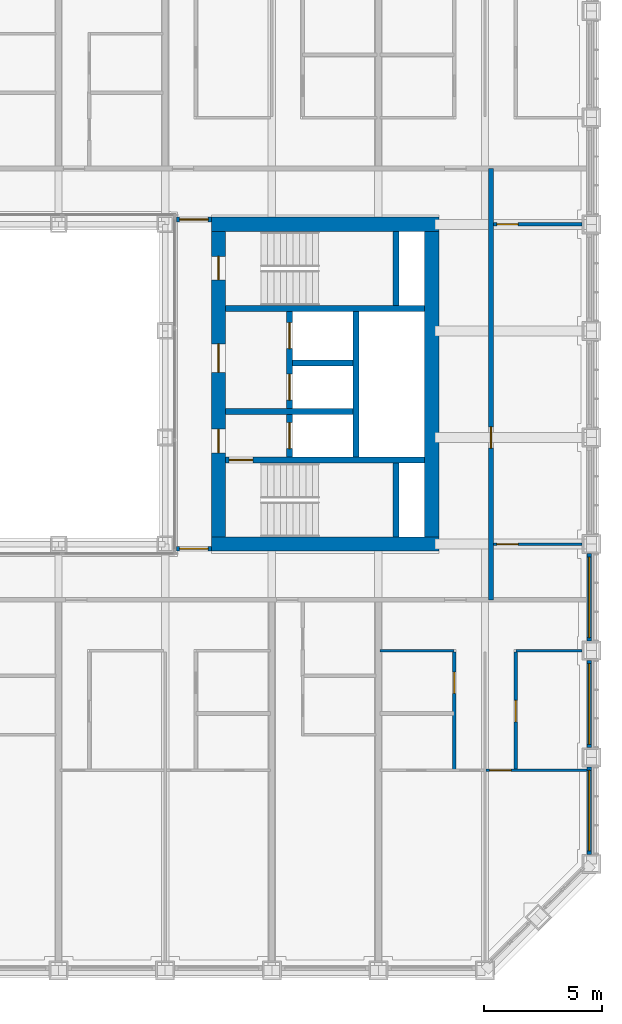
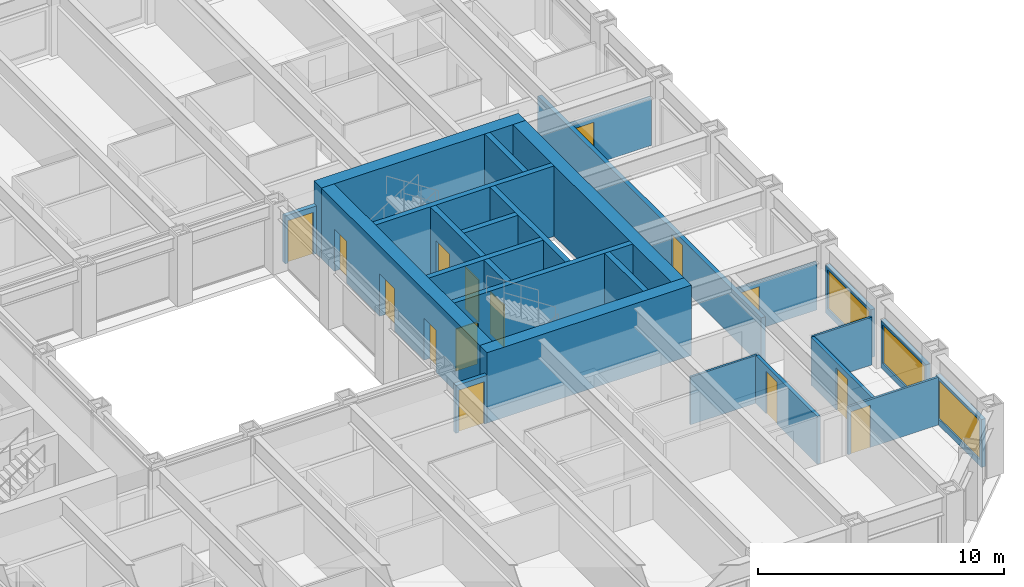
# One storey, part 12 of 21: 25 walls, 15 doors, 3 windows, 18 openings.
"""IFC4 building model written with IfcOpenShell, lengths in metres."""

from ifc_helpers import new_model, si_unit, direction, frame, frame_2d, origin, place, context, subcontext, project, spatial, rectangle, extrude, material, layer, layer_set, type_object, element, fill, save


model = new_model("IFC4")

# Units and contexts
model_context = context("Model", 3, precision=1e-05, world=origin(), true_north=direction((0.0, 1.0)))
body_context = subcontext(model_context, "Body", "Model", "MODEL_VIEW")
ifc_project = project(units=[si_unit("LENGTHUNIT", "METRE"), si_unit("AREAUNIT", "SQUARE_METRE"), si_unit("VOLUMEUNIT", "CUBIC_METRE"), si_unit("PLANEANGLEUNIT", "RADIAN"), si_unit("MASSUNIT", "GRAM", prefix="KILO")], contexts=[model_context])

# Site, building, storey
site_placement = place(None, origin())
site = spatial("IfcSite", under=ifc_project, at=site_placement, CompositionType="ELEMENT")
building_placement = place(site_placement, origin())
building = spatial("IfcBuilding", under=site, at=building_placement, Name="Msasa Ring Tower", CompositionType="ELEMENT")
storey_placement = place(building_placement, frame((0.0, 0.0, 37.0)))
storey = spatial("IfcBuildingStorey", under=building, at=storey_placement, Name="L08", CompositionType="ELEMENT", Elevation=37.0)

# Walls
ifc_material_1 = material(Name="Concrete C60/75", Category="concrete")
ifc_layer_1 = layer(ifc_material_1, 0.60009765625)
ifc_layer_set_1 = layer_set([ifc_layer_1], Name="CW1 CORE WALL 600")
wall_type_1 = type_object("IfcWallType", Name="CW1 CORE WALL 600", PredefinedType="SHEAR", material=ifc_layer_set_1)
for number, where, z_axis, x_axis, name in (
    (1, (8.699951171875, -6.75, 0.0), (0.0, 0.0, 1.0), (1.0, 0.0, 0.0), "E core wall S L08"),
    (2, (8.699951171875, 6.75, 0.0), (0.0, 0.0, 1.0), (1.0, 0.0, 0.0), "E core wall N L08"),
):
    element("IfcWall", number, at=place(storey_placement, frame(where, z_axis=z_axis, x_axis=x_axis)), inside=storey, type_object=wall_type_1, Name=name, PredefinedType="SHEAR", context=body_context, shape_type="SweptSolid", body=[
        extrude(rectangle(XDim=9.60009765625, YDim=0.60009765625, at=frame_2d((4.800048828125, 0.0))), origin(), (0.0, 0.0, 1.0), 3.5),
    ])

# Wall, openings, doors
wall_1_placement = place(storey_placement, frame((9.0, -6.449951171875, 0.0), z_axis=(0.0, 0.0, 1.0), x_axis=(0.0, 1.0, 0.0)))
wall_1 = element("IfcWall", 3, at=wall_1_placement, inside=storey, type_object=wall_type_1, Name="E core wall W L08", PredefinedType="SHEAR", context=body_context, shape_type="SweptSolid", body=[
    extrude(rectangle(XDim=12.89990234375, YDim=0.60009765625, at=frame_2d((6.449951171875, 0.0))), origin(), (0.0, 0.0, 1.0), 3.5),
])
opening_1_placement = place(wall_1_placement, frame((3.550048828125, 0.0, 0.0)))
opening_1 = element("IfcOpeningElement", 4, at=opening_1_placement, cuts=wall_1, Name="Opening RB-046", PredefinedType="OPENING", context=body_context, shape_type="SweptSolid", body=[
    extrude(rectangle(XDim=1.0, YDim=2.10009765625, at=frame_2d((0.5, 1.050048828125))), frame((0.0, 0.31005859375, 0.0), z_axis=(0.0, -1.0, 0.0), x_axis=(1.0, 0.0, 0.0)), (0.0, 0.0, 1.0), 0.6201171875),
])
opening_2_placement = place(wall_1_placement, frame((6.949951171875, 0.0, 0.0)))
opening_2 = element("IfcOpeningElement", 5, at=opening_2_placement, cuts=wall_1, Name="Opening RB-041", PredefinedType="OPENING", context=body_context, shape_type="SweptSolid", body=[
    extrude(rectangle(XDim=1.199951171875, YDim=2.10009765625, at=frame_2d((0.60009765625, 1.050048828125))), frame((0.0, 0.31005859375, 0.0), z_axis=(0.0, -1.0, 0.0), x_axis=(1.0, 0.0, 0.0)), (0.0, 0.0, 1.0), 0.6201171875),
])
opening_3_placement = place(wall_1_placement, frame((10.85009765625, 0.0, 0.0)))
opening_3 = element("IfcOpeningElement", 6, at=opening_3_placement, cuts=wall_1, Name="Opening RB-039", PredefinedType="OPENING", context=body_context, shape_type="SweptSolid", body=[
    extrude(rectangle(XDim=1.0, YDim=2.10009765625, at=frame_2d((0.5, 1.050048828125))), frame((0.0, 0.31005859375, 0.0), z_axis=(0.0, -1.0, 0.0), x_axis=(1.0, 0.0, 0.0)), (0.0, 0.0, 1.0), 0.6201171875),
])
ifc_material_2 = material(Name="Timber door leaf in a steel frame", Category="steel")
door_type_1 = type_object("IfcDoorType", Name="D4 LOBBY DOOR 1000x2100", OperationType="SINGLE_SWING_LEFT", PredefinedType="DOOR", material=ifc_material_2)
door_1_placement = place(opening_1_placement, origin())
door_1 = element("IfcDoor", 7, at=door_1_placement, inside=storey, type_object=door_type_1, Name="Door L08-EFFL", OperationType="SINGLE_SWING_LEFT", OverallHeight=2.10009765625, OverallWidth=1.0, PredefinedType="DOOR", context=body_context, shape_type="SweptSolid", body=[
    extrude(rectangle(XDim=1.0, YDim=2.10009765625, at=frame_2d((0.5, 1.050048828125))), frame((0.0, 0.02490234375, 0.0), z_axis=(0.0, -1.0, 0.0), x_axis=(1.0, 0.0, 0.0)), (0.0, 0.0, 1.0), 0.050048828125),
])
fill(opening_1, door_1)
ifc_material_3 = material(Name="Timber door leaf in a steel frame", Category="steel")
door_type_2 = type_object("IfcDoorType", Name="D5 WIDE LOBBY DOOR 1200x2100", OperationType="SINGLE_SWING_LEFT", PredefinedType="DOOR", material=ifc_material_3)
door_2_placement = place(opening_2_placement, origin())
door_2 = element("IfcDoor", 8, at=door_2_placement, inside=storey, type_object=door_type_2, Name="Door L08-ELL", OperationType="SINGLE_SWING_RIGHT", OverallHeight=2.10009765625, OverallWidth=1.199951171875, PredefinedType="DOOR", context=body_context, shape_type="SweptSolid", body=[
    extrude(rectangle(XDim=1.199951171875, YDim=2.10009765625, at=frame_2d((0.60009765625, 1.050048828125))), frame((0.0, 0.02490234375, 0.0), z_axis=(0.0, -1.0, 0.0), x_axis=(1.0, 0.0, 0.0)), (0.0, 0.0, 1.0), 0.050048828125),
])
fill(opening_2, door_2)
ifc_material_4 = material(Name="Timber door leaf in a steel frame", Category="steel")
door_type_3 = type_object("IfcDoorType", Name="D6 STAIR DOOR 1000x2100", OperationType="SINGLE_SWING_LEFT", PredefinedType="DOOR", material=ifc_material_4)
door_3_placement = place(opening_3_placement, origin())
door_3 = element("IfcDoor", 9, at=door_3_placement, inside=storey, type_object=door_type_3, Name="Door L08-ESTB", OperationType="SINGLE_SWING_RIGHT", OverallHeight=2.10009765625, OverallWidth=1.0, PredefinedType="DOOR", context=body_context, shape_type="SweptSolid", body=[
    extrude(rectangle(XDim=1.0, YDim=2.10009765625, at=frame_2d((0.5, 1.050048828125))), frame((0.0, 0.02490234375, 0.0), z_axis=(0.0, -1.0, 0.0), x_axis=(1.0, 0.0, 0.0)), (0.0, 0.0, 1.0), 0.050048828125),
])
fill(opening_3, door_3)

# Wall
wall_2_placement = place(storey_placement, frame((18.0, -6.449951171875, 0.0), z_axis=(0.0, 0.0, 1.0), x_axis=(0.0, 1.0, 0.0)))
element("IfcWall", 10, at=wall_2_placement, inside=storey, type_object=wall_type_1, Name="E core wall E L08", PredefinedType="SHEAR", context=body_context, shape_type="SweptSolid", body=[
    extrude(rectangle(XDim=12.89990234375, YDim=0.60009765625, at=frame_2d((6.449951171875, 0.0))), origin(), (0.0, 0.0, 1.0), 3.5),
])

# Wall, opening, door
ifc_material_5 = material(Name="Concrete C60/75", Category="concrete")
ifc_layer_2 = layer(ifc_material_5, 0.25)
ifc_layer_set_2 = layer_set([ifc_layer_2], Name="CW4 CORE INNER WALL 250")
wall_type_2 = type_object("IfcWallType", Name="CW4 CORE INNER WALL 250", PredefinedType="SHEAR", material=ifc_layer_set_2)
wall_3_placement = place(storey_placement, frame((9.300048828125, -3.199951171875, 0.0), z_axis=(0.0, 0.0, 1.0), x_axis=(1.0, 0.0, 0.0)))
wall_3 = element("IfcWall", 11, at=wall_3_placement, inside=storey, type_object=wall_type_2, Name="E core wall STAIRA L08", PredefinedType="SHEAR", context=body_context, shape_type="SweptSolid", body=[
    extrude(rectangle(XDim=8.39990234375, YDim=0.25, at=frame_2d((4.199951171875, 0.0))), origin(), (0.0, 0.0, 1.0), 3.5),
])
opening_4_placement = place(wall_3_placement, frame((0.14990234375, 0.0, 0.0)))
opening_4 = element("IfcOpeningElement", 12, at=opening_4_placement, cuts=wall_3, Name="Opening RB-048", PredefinedType="OPENING", context=body_context, shape_type="SweptSolid", body=[
    extrude(rectangle(XDim=1.0, YDim=2.10009765625, at=frame_2d((0.5, 1.050048828125))), frame((0.0, 0.135009765625, 0.0), z_axis=(0.0, -1.0, 0.0), x_axis=(1.0, 0.0, 0.0)), (0.0, 0.0, 1.0), 0.27001953125),
])
door_4_placement = place(opening_4_placement, origin())
door_4 = element("IfcDoor", 13, at=door_4_placement, inside=storey, type_object=door_type_3, Name="Door L08-ESTA", OperationType="SINGLE_SWING_LEFT", OverallHeight=2.10009765625, OverallWidth=1.0, PredefinedType="DOOR", context=body_context, shape_type="SweptSolid", body=[
    extrude(rectangle(XDim=1.0, YDim=2.10009765625, at=frame_2d((0.5, 1.050048828125))), frame((0.0, 0.02490234375, 0.0), z_axis=(0.0, -1.0, 0.0), x_axis=(1.0, 0.0, 0.0)), (0.0, 0.0, 1.0), 0.050048828125),
])
fill(opening_4, door_4)

# Walls
wall_4_placement = place(storey_placement, frame((9.300048828125, 3.199951171875, 0.0), z_axis=(0.0, 0.0, 1.0), x_axis=(1.0, 0.0, 0.0)))
element("IfcWall", 14, at=wall_4_placement, inside=storey, type_object=wall_type_2, Name="E core wall STAIRB L08", PredefinedType="SHEAR", context=body_context, shape_type="SweptSolid", body=[
    extrude(rectangle(XDim=8.39990234375, YDim=0.25, at=frame_2d((4.199951171875, 0.0))), origin(), (0.0, 0.0, 1.0), 3.5),
])
for number, where, z_axis, x_axis, name in (
    (15, (16.5, -6.449951171875, 0.0), (0.0, 0.0, 1.0), (0.0, 1.0, 0.0), "E core wall RISERA L08"),
    (16, (16.5, 3.324951171875, 0.0), (0.0, 0.0, 1.0), (0.0, 1.0, 0.0), "E core wall RISERB L08"),
):
    element("IfcWall", number, at=place(storey_placement, frame(where, z_axis=z_axis, x_axis=x_axis)), inside=storey, type_object=wall_type_2, Name=name, PredefinedType="SHEAR", context=body_context, shape_type="SweptSolid", body=[
        extrude(rectangle(XDim=3.125, YDim=0.25, at=frame_2d((1.5625, 0.0))), origin(), (0.0, 0.0, 1.0), 3.5),
    ])
wall_5_placement = place(storey_placement, frame((9.300048828125, -1.14990234375, 0.0), z_axis=(0.0, 0.0, 1.0), x_axis=(1.0, 0.0, 0.0)))
element("IfcWall", 17, at=wall_5_placement, inside=storey, type_object=wall_type_2, Name="E core wall FFL L08", PredefinedType="SHEAR", context=body_context, shape_type="SweptSolid", body=[
    extrude(rectangle(XDim=5.375, YDim=0.25, at=frame_2d((2.6875, 0.0))), origin(), (0.0, 0.0, 1.0), 3.5),
])

# Wall, openings, doors
wall_6_placement = place(storey_placement, frame((12.0, -3.074951171875, 0.0), z_axis=(0.0, 0.0, 1.0), x_axis=(0.0, 1.0, 0.0)))
wall_6 = element("IfcWall", 18, at=wall_6_placement, inside=storey, type_object=wall_type_2, Name="E core wall LOBBY L08", PredefinedType="SHEAR", context=body_context, shape_type="SweptSolid", body=[
    extrude(rectangle(XDim=6.14990234375, YDim=0.25, at=frame_2d((3.074951171875, 0.0))), origin(), (0.0, 0.0, 1.0), 3.5),
])
opening_5_placement = place(wall_6_placement, frame((0.35009765625, 0.0, 0.0)))
opening_5 = element("IfcOpeningElement", 19, at=opening_5_placement, cuts=wall_6, Name="Opening LD1", PredefinedType="OPENING", context=body_context, shape_type="SweptSolid", body=[
    extrude(rectangle(XDim=1.10009765625, YDim=2.10009765625, at=frame_2d((0.550048828125, 1.050048828125))), frame((0.0, 0.135009765625, 0.0), z_axis=(0.0, -1.0, 0.0), x_axis=(1.0, 0.0, 0.0)), (0.0, 0.0, 1.0), 0.27001953125),
])
opening_6_placement = place(wall_6_placement, frame((2.39990234375, 0.0, 0.0)))
opening_6 = element("IfcOpeningElement", 20, at=opening_6_placement, cuts=wall_6, Name="Opening LD1", PredefinedType="OPENING", context=body_context, shape_type="SweptSolid", body=[
    extrude(rectangle(XDim=1.10009765625, YDim=2.10009765625, at=frame_2d((0.550048828125, 1.050048828125))), frame((0.0, 0.135009765625, 0.0), z_axis=(0.0, -1.0, 0.0), x_axis=(1.0, 0.0, 0.0)), (0.0, 0.0, 1.0), 0.27001953125),
])
opening_7_placement = place(wall_6_placement, frame((4.574951171875, 0.0, 0.0)))
opening_7 = element("IfcOpeningElement", 21, at=opening_7_placement, cuts=wall_6, Name="Opening LD1", PredefinedType="OPENING", context=body_context, shape_type="SweptSolid", body=[
    extrude(rectangle(XDim=1.10009765625, YDim=2.10009765625, at=frame_2d((0.550048828125, 1.050048828125))), frame((0.0, 0.135009765625, 0.0), z_axis=(0.0, -1.0, 0.0), x_axis=(1.0, 0.0, 0.0)), (0.0, 0.0, 1.0), 0.27001953125),
])
ifc_material_6 = material(Name="Stainless steel lift landing door", Category="steel")
door_type_4 = type_object("IfcDoorType", Name="LD1 LIFT LANDING DOOR 1100x2100", OperationType="DOUBLE_DOOR_SLIDING", PredefinedType="DOOR", material=ifc_material_6)
door_5_placement = place(opening_5_placement, origin())
door_5 = element("IfcDoor", 22, at=door_5_placement, inside=storey, type_object=door_type_4, Name="Lift landing door FL-E L08", OperationType="DOUBLE_DOOR_SLIDING", OverallHeight=2.10009765625, OverallWidth=1.10009765625, PredefinedType="DOOR", context=body_context, shape_type="SweptSolid", body=[
    extrude(rectangle(XDim=1.10009765625, YDim=2.10009765625, at=frame_2d((0.550048828125, 1.050048828125))), frame((0.0, 0.02490234375, 0.0), z_axis=(0.0, -1.0, 0.0), x_axis=(1.0, 0.0, 0.0)), (0.0, 0.0, 1.0), 0.050048828125),
])
fill(opening_5, door_5)
door_6_placement = place(opening_6_placement, origin())
door_6 = element("IfcDoor", 23, at=door_6_placement, inside=storey, type_object=door_type_4, Name="Lift landing door PL-R1 L08", OperationType="DOUBLE_DOOR_SLIDING", OverallHeight=2.10009765625, OverallWidth=1.10009765625, PredefinedType="DOOR", context=body_context, shape_type="SweptSolid", body=[
    extrude(rectangle(XDim=1.10009765625, YDim=2.10009765625, at=frame_2d((0.550048828125, 1.050048828125))), frame((0.0, 0.02490234375, 0.0), z_axis=(0.0, -1.0, 0.0), x_axis=(1.0, 0.0, 0.0)), (0.0, 0.0, 1.0), 0.050048828125),
])
fill(opening_6, door_6)
door_7_placement = place(opening_7_placement, origin())
door_7 = element("IfcDoor", 24, at=door_7_placement, inside=storey, type_object=door_type_4, Name="Lift landing door PL-R2 L08", OperationType="DOUBLE_DOOR_SLIDING", OverallHeight=2.10009765625, OverallWidth=1.10009765625, PredefinedType="DOOR", context=body_context, shape_type="SweptSolid", body=[
    extrude(rectangle(XDim=1.10009765625, YDim=2.10009765625, at=frame_2d((0.550048828125, 1.050048828125))), frame((0.0, 0.02490234375, 0.0), z_axis=(0.0, -1.0, 0.0), x_axis=(1.0, 0.0, 0.0)), (0.0, 0.0, 1.0), 0.050048828125),
])
fill(opening_7, door_7)

# Walls
wall_7_placement = place(storey_placement, frame((14.800048828125, -3.074951171875, 0.0), z_axis=(0.0, 0.0, 1.0), x_axis=(0.0, 1.0, 0.0)))
element("IfcWall", 25, at=wall_7_placement, inside=storey, type_object=wall_type_2, Name="E core wall SHAFT L08", PredefinedType="SHEAR", context=body_context, shape_type="SweptSolid", body=[
    extrude(rectangle(XDim=6.14990234375, YDim=0.25, at=frame_2d((3.074951171875, 0.0))), origin(), (0.0, 0.0, 1.0), 3.5),
])
wall_8_placement = place(storey_placement, frame((12.125, 0.89990234375, 0.0), z_axis=(0.0, 0.0, 1.0), x_axis=(1.0, 0.0, 0.0)))
element("IfcWall", 26, at=wall_8_placement, inside=storey, type_object=wall_type_2, Name="E core wall LIFT1 L08", PredefinedType="SHEAR", context=body_context, shape_type="SweptSolid", body=[
    extrude(rectangle(XDim=2.550048828125, YDim=0.25, at=frame_2d((1.27490234375, 0.0))), origin(), (0.0, 0.0, 1.0), 3.5),
])

# Wall, opening, window
ifc_material_7 = material(Name="Terracotta rainscreen on blockwork", Category="masonry")
ifc_layer_3 = layer(ifc_material_7, 0.199951171875)
ifc_layer_set_3 = layer_set([ifc_layer_3], Name="FW1 TERRACOTTA-LINED INFILL BAY WALL 200")
wall_type_3 = type_object("IfcWallType", Name="FW1 TERRACOTTA-LINED INFILL BAY WALL 200", PredefinedType="SOLIDWALL", material=ifc_layer_set_3)
wall_9_placement = place(storey_placement, frame((24.64990234375, -19.844970703125, 0.0), z_axis=(0.0, 0.0, 1.0), x_axis=(0.0, 1.0, 0.0)))
wall_9 = element("IfcWall", 27, at=wall_9_placement, inside=storey, type_object=wall_type_3, Name="Infill bay wall E L08 11", PredefinedType="SOLIDWALL", context=body_context, shape_type="SweptSolid", body=[
    extrude(rectangle(XDim=3.68994140625, YDim=0.199951171875, at=frame_2d((1.844970703125, 0.0))), origin(), (0.0, 0.0, 1.0), 2.37890625),
])
opening_8_placement = place(wall_9_placement, frame((0.14501953125, 0.0, 0.300048828125)))
opening_8 = element("IfcOpeningElement", 28, at=opening_8_placement, cuts=wall_9, Name="Opening WN1", PredefinedType="OPENING", context=body_context, shape_type="SweptSolid", body=[
    extrude(rectangle(XDim=3.39990234375, YDim=1.928955078125, at=frame_2d((1.699951171875, 0.96435546875))), frame((0.0, 0.10986328125, 0.0), z_axis=(0.0, -1.0, 0.0), x_axis=(1.0, 0.0, 0.0)), (0.0, 0.0, 1.0), 0.219970703125),
])
ifc_material_8 = material(Name="Aluminium frame with clear glass", Category="aluminium")
window_type = type_object("IfcWindowType", Name="WN1 RESIDENCE WINDOW 3400x1929", PartitioningType="SINGLE_PANEL", PredefinedType="WINDOW", material=ifc_material_8)
window_1_placement = place(opening_8_placement, origin())
window_1 = element("IfcWindow", 29, at=window_1_placement, inside=storey, type_object=window_type, Name="Window E L08 11", OverallHeight=1.928955078125, OverallWidth=3.39990234375, PartitioningType="SINGLE_PANEL", PredefinedType="WINDOW", context=body_context, shape_type="SweptSolid", body=[
    extrude(rectangle(XDim=3.39990234375, YDim=1.928955078125, at=frame_2d((1.699951171875, 0.96435546875))), frame((0.0, 0.030029296875, 0.0), z_axis=(0.0, -1.0, 0.0), x_axis=(1.0, 0.0, 0.0)), (0.0, 0.0, 1.0), 0.06005859375),
])
fill(opening_8, window_1)

wall_10_placement = place(storey_placement, frame((24.64990234375, -15.344970703125, 0.0), z_axis=(0.0, 0.0, 1.0), x_axis=(0.0, 1.0, 0.0)))
wall_10 = element("IfcWall", 30, at=wall_10_placement, inside=storey, type_object=wall_type_3, Name="Infill bay wall E L08 12", PredefinedType="SOLIDWALL", context=body_context, shape_type="SweptSolid", body=[
    extrude(rectangle(XDim=3.68994140625, YDim=0.199951171875, at=frame_2d((1.844970703125, 0.0))), origin(), (0.0, 0.0, 1.0), 2.37890625),
])
opening_9_placement = place(wall_10_placement, frame((0.14501953125, 0.0, 0.300048828125)))
opening_9 = element("IfcOpeningElement", 31, at=opening_9_placement, cuts=wall_10, Name="Opening WN1", PredefinedType="OPENING", context=body_context, shape_type="SweptSolid", body=[
    extrude(rectangle(XDim=3.39990234375, YDim=1.928955078125, at=frame_2d((1.699951171875, 0.96435546875))), frame((0.0, 0.10986328125, 0.0), z_axis=(0.0, -1.0, 0.0), x_axis=(1.0, 0.0, 0.0)), (0.0, 0.0, 1.0), 0.219970703125),
])
window_2_placement = place(opening_9_placement, origin())
window_2 = element("IfcWindow", 32, at=window_2_placement, inside=storey, type_object=window_type, Name="Window E L08 12", OverallHeight=1.928955078125, OverallWidth=3.39990234375, PartitioningType="SINGLE_PANEL", PredefinedType="WINDOW", context=body_context, shape_type="SweptSolid", body=[
    extrude(rectangle(XDim=3.39990234375, YDim=1.928955078125, at=frame_2d((1.699951171875, 0.96435546875))), frame((0.0, 0.030029296875, 0.0), z_axis=(0.0, -1.0, 0.0), x_axis=(1.0, 0.0, 0.0)), (0.0, 0.0, 1.0), 0.06005859375),
])
fill(opening_9, window_2)

wall_11_placement = place(storey_placement, frame((24.64990234375, -10.844970703125, 0.0), z_axis=(0.0, 0.0, 1.0), x_axis=(0.0, 1.0, 0.0)))
wall_11 = element("IfcWall", 33, at=wall_11_placement, inside=storey, type_object=wall_type_3, Name="Infill bay wall E L08 13", PredefinedType="SOLIDWALL", context=body_context, shape_type="SweptSolid", body=[
    extrude(rectangle(XDim=3.68994140625, YDim=0.199951171875, at=frame_2d((1.844970703125, 0.0))), origin(), (0.0, 0.0, 1.0), 2.37890625),
])
opening_10_placement = place(wall_11_placement, frame((0.14501953125, 0.0, 0.300048828125)))
opening_10 = element("IfcOpeningElement", 34, at=opening_10_placement, cuts=wall_11, Name="Opening WN1", PredefinedType="OPENING", context=body_context, shape_type="SweptSolid", body=[
    extrude(rectangle(XDim=3.39990234375, YDim=1.928955078125, at=frame_2d((1.699951171875, 0.96435546875))), frame((0.0, 0.10986328125, 0.0), z_axis=(0.0, -1.0, 0.0), x_axis=(1.0, 0.0, 0.0)), (0.0, 0.0, 1.0), 0.219970703125),
])
window_3_placement = place(opening_10_placement, origin())
window_3 = element("IfcWindow", 35, at=window_3_placement, inside=storey, type_object=window_type, Name="Window E L08 13", OverallHeight=1.928955078125, OverallWidth=3.39990234375, PartitioningType="SINGLE_PANEL", PredefinedType="WINDOW", context=body_context, shape_type="SweptSolid", body=[
    extrude(rectangle(XDim=3.39990234375, YDim=1.928955078125, at=frame_2d((1.699951171875, 0.96435546875))), frame((0.0, 0.030029296875, 0.0), z_axis=(0.0, -1.0, 0.0), x_axis=(1.0, 0.0, 0.0)), (0.0, 0.0, 1.0), 0.06005859375),
])
fill(opening_10, window_3)

# Wall, opening, door
ifc_material_9 = material(Name="Concrete blockwork", Category="masonry")
ifc_layer_4 = layer(ifc_material_9, 0.199951171875)
ifc_layer_set_4 = layer_set([ifc_layer_4], Name="PT1 CORRIDOR WALL 200")
wall_type_4 = type_object("IfcWallType", Name="PT1 CORRIDOR WALL 200", PredefinedType="PARTITIONING", material=ifc_layer_set_4)
wall_12_placement = place(storey_placement, frame((7.22998046875, 6.949951171875, 0.0), z_axis=(0.0, 0.0, 1.0), x_axis=(1.0, 0.0, 0.0)))
wall_12 = element("IfcWall", 36, at=wall_12_placement, inside=storey, type_object=wall_type_4, Name="Corridor wall L08-SDEN", PredefinedType="PARTITIONING", context=body_context, shape_type="SweptSolid", body=[
    extrude(rectangle(XDim=1.469970703125, YDim=0.199951171875, at=frame_2d((0.73486328125, 0.0))), origin(), (0.0, 0.0, 1.0), 2.373291015625),
])
opening_11_placement = place(wall_12_placement, frame((0.135009765625, 0.0, 0.0)))
opening_11 = element("IfcOpeningElement", 37, at=opening_11_placement, cuts=wall_12, Name="Opening RB-035", PredefinedType="OPENING", context=body_context, shape_type="SweptSolid", body=[
    extrude(rectangle(XDim=1.199951171875, YDim=2.10009765625, at=frame_2d((0.60009765625, 1.050048828125))), frame((0.0, 0.10986328125, 0.0), z_axis=(0.0, -1.0, 0.0), x_axis=(1.0, 0.0, 0.0)), (0.0, 0.0, 1.0), 0.219970703125),
])
ifc_material_10 = material(Name="Timber door leaf in a steel frame", Category="steel")
door_type_5 = type_object("IfcDoorType", Name="D25 CORRIDOR PAIR OF SMOKE DOORS 1200x2100", OperationType="DOUBLE_DOOR_DOUBLE_SWING", PredefinedType="DOOR", material=ifc_material_10)
door_8_placement = place(opening_11_placement, origin())
door_8 = element("IfcDoor", 38, at=door_8_placement, inside=storey, type_object=door_type_5, Name="Door L08-SDEN", OperationType="DOUBLE_DOOR_DOUBLE_SWING", OverallHeight=2.10009765625, OverallWidth=1.199951171875, PredefinedType="DOOR", context=body_context, shape_type="SweptSolid", body=[
    extrude(rectangle(XDim=1.199951171875, YDim=2.10009765625, at=frame_2d((0.60009765625, 1.050048828125))), frame((0.0, 0.02490234375, 0.0), z_axis=(0.0, -1.0, 0.0), x_axis=(1.0, 0.0, 0.0)), (0.0, 0.0, 1.0), 0.050048828125),
])
fill(opening_11, door_8)

wall_13_placement = place(storey_placement, frame((7.22998046875, -6.949951171875, 0.0), z_axis=(0.0, 0.0, 1.0), x_axis=(1.0, 0.0, 0.0)))
wall_13 = element("IfcWall", 39, at=wall_13_placement, inside=storey, type_object=wall_type_4, Name="Corridor wall L08-SDES", PredefinedType="PARTITIONING", context=body_context, shape_type="SweptSolid", body=[
    extrude(rectangle(XDim=1.469970703125, YDim=0.199951171875, at=frame_2d((0.73486328125, 0.0))), origin(), (0.0, 0.0, 1.0), 2.373291015625),
])
opening_12_placement = place(wall_13_placement, frame((0.135009765625, 0.0, 0.0)))
opening_12 = element("IfcOpeningElement", 40, at=opening_12_placement, cuts=wall_13, Name="Opening RB-052", PredefinedType="OPENING", context=body_context, shape_type="SweptSolid", body=[
    extrude(rectangle(XDim=1.199951171875, YDim=2.10009765625, at=frame_2d((0.60009765625, 1.050048828125))), frame((0.0, 0.10986328125, 0.0), z_axis=(0.0, -1.0, 0.0), x_axis=(1.0, 0.0, 0.0)), (0.0, 0.0, 1.0), 0.219970703125),
])
door_9_placement = place(opening_12_placement, origin())
door_9 = element("IfcDoor", 41, at=door_9_placement, inside=storey, type_object=door_type_5, Name="Door L08-SDES", OperationType="DOUBLE_DOOR_DOUBLE_SWING", OverallHeight=2.10009765625, OverallWidth=1.199951171875, PredefinedType="DOOR", context=body_context, shape_type="SweptSolid", body=[
    extrude(rectangle(XDim=1.199951171875, YDim=2.10009765625, at=frame_2d((0.60009765625, 1.050048828125))), frame((0.0, 0.02490234375, 0.0), z_axis=(0.0, -1.0, 0.0), x_axis=(1.0, 0.0, 0.0)), (0.0, 0.0, 1.0), 0.050048828125),
])
fill(opening_12, door_9)

wall_14_placement = place(storey_placement, frame((20.5, -9.10009765625, 0.0), z_axis=(0.0, 0.0, 1.0), x_axis=(0.0, 1.0, 0.0)))
wall_14 = element("IfcWall", 42, at=wall_14_placement, inside=storey, type_object=wall_type_4, Name="Corridor wall L08-STRE", PredefinedType="PARTITIONING", context=body_context, shape_type="SweptSolid", body=[
    extrude(rectangle(XDim=18.2001953125, YDim=0.199951171875, at=frame_2d((9.10009765625, 0.0))), origin(), (0.0, 0.0, 1.0), 2.373291015625),
])
opening_13_placement = place(wall_14_placement, frame((6.39990234375, 0.0, 0.0)))
opening_13 = element("IfcOpeningElement", 43, at=opening_13_placement, cuts=wall_14, Name="Opening RB-044", PredefinedType="OPENING", context=body_context, shape_type="SweptSolid", body=[
    extrude(rectangle(XDim=0.89990234375, YDim=2.10009765625, at=frame_2d((0.449951171875, 1.050048828125))), frame((0.0, 0.10986328125, 0.0), z_axis=(0.0, -1.0, 0.0), x_axis=(1.0, 0.0, 0.0)), (0.0, 0.0, 1.0), 0.219970703125),
])
ifc_material_11 = material(Name="Timber door leaf in a steel frame", Category="steel")
door_type_6 = type_object("IfcDoorType", Name="D2 ENTRANCE DOOR 900x2100", OperationType="SINGLE_SWING_LEFT", PredefinedType="DOOR", material=ifc_material_11)
door_10_placement = place(opening_13_placement, origin())
door_10 = element("IfcDoor", 44, at=door_10_placement, inside=storey, type_object=door_type_6, Name="Door L08-STE", OperationType="SINGLE_SWING_LEFT", OverallHeight=2.10009765625, OverallWidth=0.89990234375, PredefinedType="DOOR", context=body_context, shape_type="SweptSolid", body=[
    extrude(rectangle(XDim=0.89990234375, YDim=2.10009765625, at=frame_2d((0.449951171875, 1.050048828125))), frame((0.0, 0.02490234375, 0.0), z_axis=(0.0, -1.0, 0.0), x_axis=(1.0, 0.0, 0.0)), (0.0, 0.0, 1.0), 0.050048828125),
])
fill(opening_13, door_10)

# Wall
ifc_material_12 = material(Name="Gypsum board on steel studs", Category="steel")
ifc_layer_5 = layer(ifc_material_12, 0.10009765625)
ifc_layer_set_5 = layer_set([ifc_layer_5], Name="PT2 STUD PARTITION 100")
wall_type_5 = type_object("IfcWallType", Name="PT2 STUD PARTITION 100", PredefinedType="PARTITIONING", material=ifc_layer_set_5)
wall_15_placement = place(storey_placement, frame((21.550048828125, -11.25, 0.0), z_axis=(0.0, 0.0, 1.0), x_axis=(1.0, 0.0, 0.0)))
element("IfcWall", 45, at=wall_15_placement, inside=storey, type_object=wall_type_5, Name="Partition L08-US06HY0", PredefinedType="PARTITIONING", context=body_context, shape_type="SweptSolid", body=[
    extrude(rectangle(XDim=2.800048828125, YDim=0.10009765625, at=frame_2d((1.39990234375, 0.0))), origin(), (0.0, 0.0, 1.0), 2.373291015625),
])

# Wall, opening, door
wall_16_placement = place(storey_placement, frame((20.300048828125, -16.300048828125, 0.0), z_axis=(0.0, 0.0, 1.0), x_axis=(1.0, 0.0, 0.0)))
wall_16 = element("IfcWall", 46, at=wall_16_placement, inside=storey, type_object=wall_type_5, Name="Partition L08-US06SY0", PredefinedType="PARTITIONING", context=body_context, shape_type="SweptSolid", body=[
    extrude(rectangle(XDim=4.25, YDim=0.10009765625, at=frame_2d((2.125, 0.0))), origin(), (0.0, 0.0, 1.0), 2.373291015625),
])
opening_14_placement = place(wall_16_placement, frame((0.14990234375, 0.0, 0.0)))
opening_14 = element("IfcOpeningElement", 47, at=opening_14_placement, cuts=wall_16, Name="Opening RB-085", PredefinedType="OPENING", context=body_context, shape_type="SweptSolid", body=[
    extrude(rectangle(XDim=0.89990234375, YDim=2.10009765625, at=frame_2d((0.449951171875, 1.050048828125))), frame((0.0, 0.06005859375, 0.0), z_axis=(0.0, -1.0, 0.0), x_axis=(1.0, 0.0, 0.0)), (0.0, 0.0, 1.0), 0.1201171875),
])
ifc_material_13 = material(Name="Timber door leaf in a steel frame", Category="steel")
door_type_7 = type_object("IfcDoorType", Name="D22 INTERNAL HALL DOOR 900x2100", OperationType="SINGLE_SWING_LEFT", PredefinedType="DOOR", material=ifc_material_13)
door_11_placement = place(opening_14_placement, origin())
door_11 = element("IfcDoor", 48, at=door_11_placement, inside=storey, type_object=door_type_7, Name="Door L08-US06L", OperationType="SINGLE_SWING_LEFT", OverallHeight=2.10009765625, OverallWidth=0.89990234375, PredefinedType="DOOR", context=body_context, shape_type="SweptSolid", body=[
    extrude(rectangle(XDim=0.89990234375, YDim=2.10009765625, at=frame_2d((0.449951171875, 1.050048828125))), frame((0.0, 0.02490234375, 0.0), z_axis=(0.0, -1.0, 0.0), x_axis=(1.0, 0.0, 0.0)), (0.0, 0.0, 1.0), 0.050048828125),
])
fill(opening_14, door_11)

# Wall
wall_17_placement = place(storey_placement, frame((15.81005859375, -11.25, 0.0), z_axis=(0.0, 0.0, 1.0), x_axis=(1.0, 0.0, 0.0)))
element("IfcWall", 49, at=wall_17_placement, inside=storey, type_object=wall_type_5, Name="Partition L08-US06HY1", PredefinedType="PARTITIONING", context=body_context, shape_type="SweptSolid", body=[
    extrude(rectangle(XDim=3.139892578125, YDim=0.10009765625, at=frame_2d((1.56982421875, 0.0))), origin(), (0.0, 0.0, 1.0), 2.373291015625),
])

# Wall, opening, door
wall_18_placement = place(storey_placement, frame((20.60009765625, -6.75, 0.0), z_axis=(0.0, 0.0, 1.0), x_axis=(1.0, 0.0, 0.0)))
wall_18 = element("IfcWall", 50, at=wall_18_placement, inside=storey, type_object=wall_type_5, Name="Partition L08-STEKY", PredefinedType="PARTITIONING", context=body_context, shape_type="SweptSolid", body=[
    extrude(rectangle(XDim=3.75, YDim=0.10009765625, at=frame_2d((1.875, 0.0))), origin(), (0.0, 0.0, 1.0), 2.373291015625),
])
opening_15_placement = place(wall_18_placement, frame((0.14990234375, 0.0, 0.0)))
opening_15 = element("IfcOpeningElement", 51, at=opening_15_placement, cuts=wall_18, Name="Opening RB-050", PredefinedType="OPENING", context=body_context, shape_type="SweptSolid", body=[
    extrude(rectangle(XDim=0.89990234375, YDim=2.10009765625, at=frame_2d((0.449951171875, 1.050048828125))), frame((0.0, 0.06005859375, 0.0), z_axis=(0.0, -1.0, 0.0), x_axis=(1.0, 0.0, 0.0)), (0.0, 0.0, 1.0), 0.1201171875),
])
door_12_placement = place(opening_15_placement, origin())
door_12 = element("IfcDoor", 52, at=door_12_placement, inside=storey, type_object=door_type_7, Name="Door L08-STEK", OperationType="SINGLE_SWING_LEFT", OverallHeight=2.10009765625, OverallWidth=0.89990234375, PredefinedType="DOOR", context=body_context, shape_type="SweptSolid", body=[
    extrude(rectangle(XDim=0.89990234375, YDim=2.10009765625, at=frame_2d((0.449951171875, 1.050048828125))), frame((0.0, 0.02490234375, 0.0), z_axis=(0.0, -1.0, 0.0), x_axis=(1.0, 0.0, 0.0)), (0.0, 0.0, 1.0), 0.050048828125),
])
fill(opening_15, door_12)

ifc_material_14 = material(Name="Moisture-resistant board on steel studs with a concealed cistern and pipe void, tiled", Category="steel")
ifc_layer_6 = layer(ifc_material_14, 0.14990234375)
ifc_layer_set_6 = layer_set([ifc_layer_6], Name="PT4 BATHROOM WET WALL 150")
wall_type_6 = type_object("IfcWallType", Name="PT4 BATHROOM WET WALL 150", PredefinedType="PARTITIONING", material=ifc_layer_set_6)
wall_19_placement = place(storey_placement, frame((21.550048828125, -16.300048828125, 0.0), z_axis=(0.0, 0.0, 1.0), x_axis=(0.0, 1.0, 0.0)))
wall_19 = element("IfcWall", 53, at=wall_19_placement, inside=storey, type_object=wall_type_6, Name="Partition L08-US06SX0", PredefinedType="PARTITIONING", context=body_context, shape_type="SweptSolid", body=[
    extrude(rectangle(XDim=5.0, YDim=0.14990234375, at=frame_2d((2.5, 0.0))), origin(), (0.0, 0.0, 1.0), 2.373291015625),
])
opening_16_placement = place(wall_19_placement, frame((2.050048828125, 0.0, 0.0)))
opening_16 = element("IfcOpeningElement", 54, at=opening_16_placement, cuts=wall_19, Name="Opening RB-073", PredefinedType="OPENING", context=body_context, shape_type="SweptSolid", body=[
    extrude(rectangle(XDim=0.89990234375, YDim=2.10009765625, at=frame_2d((0.449951171875, 1.050048828125))), frame((0.0, 0.0849609375, 0.0), z_axis=(0.0, -1.0, 0.0), x_axis=(1.0, 0.0, 0.0)), (0.0, 0.0, 1.0), 0.169921875),
])
door_13_placement = place(opening_16_placement, origin())
door_13 = element("IfcDoor", 55, at=door_13_placement, inside=storey, type_object=door_type_7, Name="Door L08-US06K", OperationType="SINGLE_SWING_LEFT", OverallHeight=2.10009765625, OverallWidth=0.89990234375, PredefinedType="DOOR", context=body_context, shape_type="SweptSolid", body=[
    extrude(rectangle(XDim=0.89990234375, YDim=2.10009765625, at=frame_2d((0.449951171875, 1.050048828125))), frame((0.0, 0.02490234375, 0.0), z_axis=(0.0, -1.0, 0.0), x_axis=(1.0, 0.0, 0.0)), (0.0, 0.0, 1.0), 0.050048828125),
])
fill(opening_16, door_13)

wall_20_placement = place(storey_placement, frame((18.949951171875, -16.300048828125, 0.0), z_axis=(0.0, 0.0, 1.0), x_axis=(0.0, 1.0, 0.0)))
wall_20 = element("IfcWall", 56, at=wall_20_placement, inside=storey, type_object=wall_type_6, Name="Partition L08-US06SX1", PredefinedType="PARTITIONING", context=body_context, shape_type="SweptSolid", body=[
    extrude(rectangle(XDim=5.0, YDim=0.14990234375, at=frame_2d((2.5, 0.0))), origin(), (0.0, 0.0, 1.0), 2.373291015625),
])
opening_17_placement = place(wall_20_placement, frame((3.25, 0.0, 0.0)))
opening_17 = element("IfcOpeningElement", 57, at=opening_17_placement, cuts=wall_20, Name="Opening RB-066", PredefinedType="OPENING", context=body_context, shape_type="SweptSolid", body=[
    extrude(rectangle(XDim=0.89990234375, YDim=2.10009765625, at=frame_2d((0.449951171875, 1.050048828125))), frame((0.0, 0.0849609375, 0.0), z_axis=(0.0, -1.0, 0.0), x_axis=(1.0, 0.0, 0.0)), (0.0, 0.0, 1.0), 0.169921875),
])
ifc_material_15 = material(Name="Timber door leaf in a steel frame", Category="steel")
door_type_8 = type_object("IfcDoorType", Name="D3 BATHROOM DOOR 900x2100", OperationType="SINGLE_SWING_LEFT", PredefinedType="DOOR", material=ifc_material_15)
door_14_placement = place(opening_17_placement, origin())
door_14 = element("IfcDoor", 58, at=door_14_placement, inside=storey, type_object=door_type_8, Name="Door L08-US06B1", OperationType="SINGLE_SWING_RIGHT", OverallHeight=2.10009765625, OverallWidth=0.89990234375, PredefinedType="DOOR", context=body_context, shape_type="SweptSolid", body=[
    extrude(rectangle(XDim=0.89990234375, YDim=2.10009765625, at=frame_2d((0.449951171875, 1.050048828125))), frame((0.0, 0.02490234375, 0.0), z_axis=(0.0, -1.0, 0.0), x_axis=(1.0, 0.0, 0.0)), (0.0, 0.0, 1.0), 0.050048828125),
])
fill(opening_17, door_14)

wall_21_placement = place(storey_placement, frame((20.60009765625, 6.75, 0.0), z_axis=(0.0, 0.0, 1.0), x_axis=(1.0, 0.0, 0.0)))
wall_21 = element("IfcWall", 59, at=wall_21_placement, inside=storey, type_object=wall_type_6, Name="Partition L08-STEBY", PredefinedType="PARTITIONING", context=body_context, shape_type="SweptSolid", body=[
    extrude(rectangle(XDim=3.75, YDim=0.14990234375, at=frame_2d((1.875, 0.0))), origin(), (0.0, 0.0, 1.0), 2.373291015625),
])
opening_18_placement = place(wall_21_placement, frame((0.14990234375, 0.0, 0.0)))
opening_18 = element("IfcOpeningElement", 60, at=opening_18_placement, cuts=wall_21, Name="Opening RB-037", PredefinedType="OPENING", context=body_context, shape_type="SweptSolid", body=[
    extrude(rectangle(XDim=0.89990234375, YDim=2.10009765625, at=frame_2d((0.449951171875, 1.050048828125))), frame((0.0, 0.0849609375, 0.0), z_axis=(0.0, -1.0, 0.0), x_axis=(1.0, 0.0, 0.0)), (0.0, 0.0, 1.0), 0.169921875),
])
door_15_placement = place(opening_18_placement, origin())
door_15 = element("IfcDoor", 61, at=door_15_placement, inside=storey, type_object=door_type_8, Name="Door L08-STEB", OperationType="SINGLE_SWING_LEFT", OverallHeight=2.10009765625, OverallWidth=0.89990234375, PredefinedType="DOOR", context=body_context, shape_type="SweptSolid", body=[
    extrude(rectangle(XDim=0.89990234375, YDim=2.10009765625, at=frame_2d((0.449951171875, 1.050048828125))), frame((0.0, 0.02490234375, 0.0), z_axis=(0.0, -1.0, 0.0), x_axis=(1.0, 0.0, 0.0)), (0.0, 0.0, 1.0), 0.050048828125),
])
fill(opening_18, door_15)

save(model, "model.ifc")
